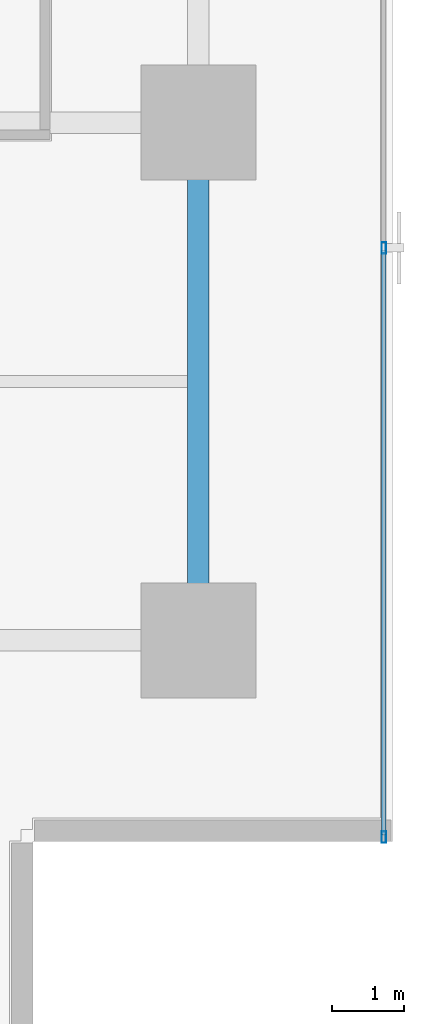
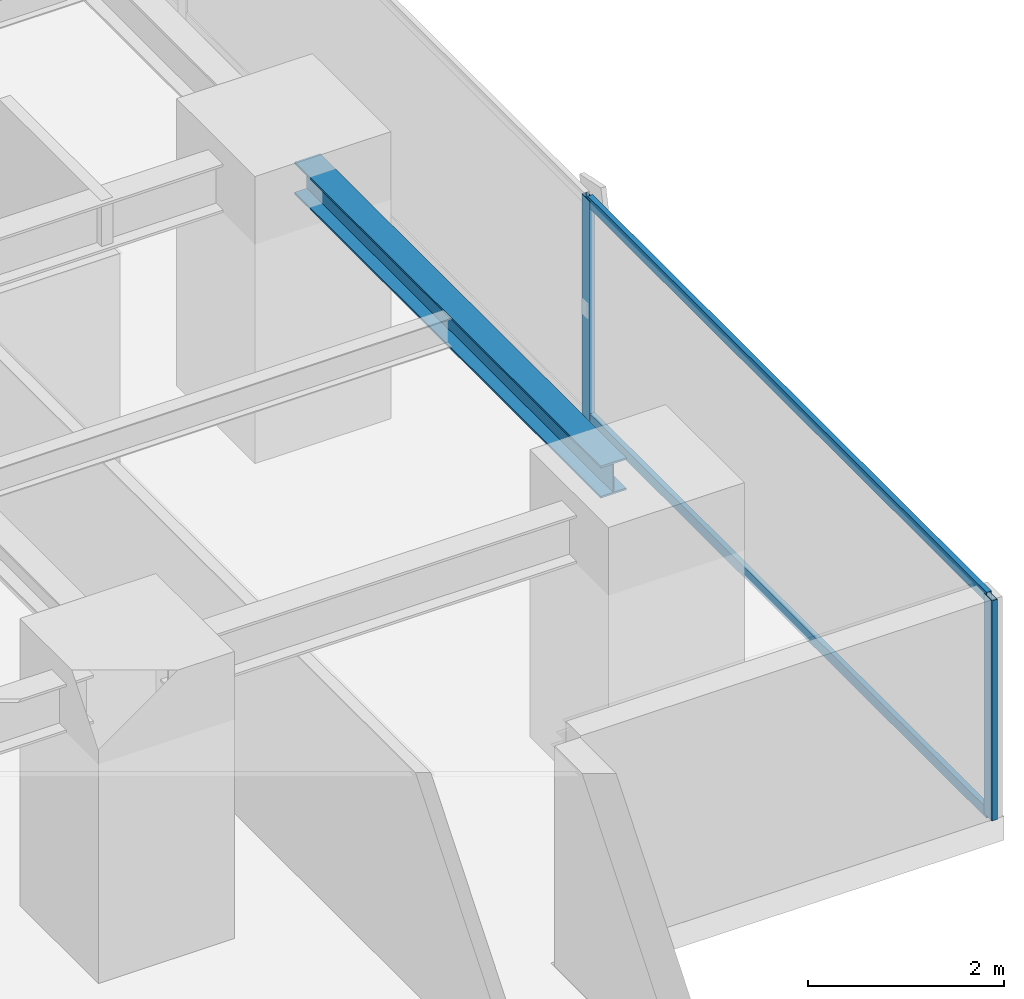
# One storey, part 14 of 36: 4 members, 1 beam, 1 element without a shape of its own.
"""IFC4 building model written with IfcOpenShell, lengths in metres."""

from ifc_helpers import new_model, si_unit, direction, frame, origin, origin_2d, place, context, subcontext, project, spatial, hollow_rectangle, i_section, extrude, source, transform, mapped, material, layer, layer_set, material_profile, profile_set, type_object, element, aggregate, save


model = new_model("IFC4")

# Units and contexts
model_context = context("Model", 3, precision=1e-05, world=origin(), true_north=direction((0.0, 1.0)))
body_context = subcontext(model_context, "Body", "Model", "MODEL_VIEW")
ifc_project = project(units=[si_unit("LENGTHUNIT", "METRE"), si_unit("AREAUNIT", "SQUARE_METRE"), si_unit("VOLUMEUNIT", "CUBIC_METRE"), si_unit("PLANEANGLEUNIT", "RADIAN"), si_unit("MASSUNIT", "GRAM", prefix="KILO")], contexts=[model_context])

# Site, building, storey
site_placement = place(None, origin())
site = spatial("IfcSite", under=ifc_project, at=site_placement, CompositionType="ELEMENT")
building_placement = place(site_placement, origin())
building = spatial("IfcBuilding", under=site, at=building_placement, Name="Sumidabori Civic Tower", CompositionType="ELEMENT")
storey_placement = place(building_placement, frame((0.0, 0.0, 77.60009765625)))
storey = spatial("IfcBuildingStorey", under=building, at=storey_placement, Name="L19", CompositionType="ELEMENT", Elevation=77.60009765625)

# Beam
ifc_material_1 = material(Name="Steel SN490", Category="steel")
ifc_material_profile_1 = material_profile(ifc_material_1, i_section(OverallWidth=0.300048828125, OverallDepth=0.39990234375, WebThickness=0.013427734375, FlangeThickness=0.02392578125, at=origin_2d()), Name="HE 400 B")
ifc_profile_set_1 = profile_set([ifc_material_profile_1], Name="Steel SN490")
beam_type = type_object("IfcBeamType", Name="BM-GIRD-400", PredefinedType="BEAM", material=ifc_profile_set_1)
shared_shape_1 = source(origin(), body_context, "Body", "SweptSolid", [
    extrude(i_section(OverallWidth=0.300048828125, OverallDepth=0.39990234375, WebThickness=0.013427734375, FlangeThickness=0.02392578125, at=origin_2d()), origin(), (0.0, 0.0, 1.0), 6.239990234375),
])
beam_placement = place(storey_placement, frame((22.800048828125, -17.52001953125, 3.159912109375), z_axis=(0.0, 1.0, 0.0), x_axis=(-1.0, 0.0, 0.0)))
element("IfcBeam", 1, at=beam_placement, inside=storey, type_object=beam_type, Name="Primary Girder L19 GY-39", PredefinedType="BEAM", context=body_context, shape_type="MappedRepresentation", body=[
    mapped(shared_shape_1, transform((0.0, 0.0, 0.0), x_axis=(1.0, 0.0, 0.0), y_axis=(0.0, 1.0, 0.0), z_axis=(0.0, 0.0, 1.0), scale=1.0)),
])

# Curtain wall, members
ifc_material_2 = material(Name="Anodised Bronze Aluminium AW-6063-T6", Category="aluminium")
ifc_layer = layer(ifc_material_2, 0.179931640625, Name="Anodised Bronze Aluminium AW-6063-T6")
ifc_layer_set = layer_set([ifc_layer], Name="Anodised Bronze Aluminium AW-6063-T6")
curtain_wall_type = type_object("IfcCurtainWallType", Name="CW-SYS-3", PredefinedType="NOTDEFINED", material=ifc_layer_set)
curtain_wall_placement = place(storey_placement, origin())
curtain_wall = element("IfcCurtainWall", 2, at=curtain_wall_placement, inside=storey, type_object=curtain_wall_type, Name="Curtain Wall CW:L19:R04", PredefinedType="NOTDEFINED")
ifc_material_profile_2 = material_profile(ifc_material_2, hollow_rectangle(XDim=0.06494140625, YDim=0.159912109375, WallThickness=0.0048828125, at=origin_2d()), Name="ALU MULLION 160x65")
ifc_profile_set_2 = profile_set([ifc_material_profile_2], Name="Anodised Bronze Aluminium AW-6063-T6")
member_type_1 = type_object("IfcMemberType", Name="CW-MUL-160", PredefinedType="MULLION", material=ifc_profile_set_2)
shared_shape_2 = source(origin(), body_context, "Body", "SweptSolid", [
    extrude(hollow_rectangle(XDim=0.06494140625, YDim=0.159912109375, WallThickness=0.0048828125, at=origin_2d()), origin(), (0.0, 0.0, 1.0), 2.739990234375),
])
member_1_placement = place(storey_placement, frame((25.3798828125, -20.737548828125, 0.0), z_axis=(0.0, 0.0, 1.0), x_axis=(-1.0, 0.0, 0.0)))
member_1 = element("IfcMember", 3, at=member_1_placement, type_object=member_type_1, Name="CW-3 mullion 1", PredefinedType="MULLION", context=body_context, shape_type="MappedRepresentation", body=[
    mapped(shared_shape_2, transform((0.0, 0.0, 0.0), x_axis=(1.0, 0.0, 0.0), y_axis=(0.0, 1.0, 0.0), z_axis=(0.0, 0.0, 1.0), scale=1.0)),
])
member_2_placement = place(storey_placement, frame((25.3798828125, -12.5419921875, 0.0), z_axis=(0.0, 0.0, 1.0), x_axis=(-1.0, 0.0, 0.0)))
member_2 = element("IfcMember", 4, at=member_2_placement, type_object=member_type_1, Name="CW-3 mullion 2", PredefinedType="MULLION", context=body_context, shape_type="MappedRepresentation", body=[
    mapped(shared_shape_2, transform((0.0, 0.0, 0.0), x_axis=(1.0, 0.0, 0.0), y_axis=(0.0, 1.0, 0.0), z_axis=(0.0, 0.0, 1.0), scale=1.0)),
])
ifc_material_profile_3 = material_profile(ifc_material_2, hollow_rectangle(XDim=0.06005859375, YDim=0.1298828125, WallThickness=0.0048828125, at=origin_2d()), Name="ALU TRANSOM 130x60")
ifc_profile_set_3 = profile_set([ifc_material_profile_3], Name="Anodised Bronze Aluminium AW-6063-T6")
member_type_2 = type_object("IfcMemberType", Name="CW-TRN-130", PredefinedType="USERDEFINED", material=ifc_profile_set_3)
shared_shape_3 = source(origin(), body_context, "Body", "SweptSolid", [
    extrude(hollow_rectangle(XDim=0.06005859375, YDim=0.1298828125, WallThickness=0.0048828125, at=origin_2d()), origin(), (0.0, 0.0, 1.0), 8.130615234375),
])
member_3_placement = place(storey_placement, frame((25.3798828125, -20.705078125, 0.02978515625), z_axis=(0.0, 1.0, 0.0), x_axis=(-1.0, 0.0, 0.0)))
member_3 = element("IfcMember", 5, at=member_3_placement, type_object=member_type_2, Name="CW-3 transom 1.1", ObjectType="TRANSOM", PredefinedType="USERDEFINED", context=body_context, shape_type="MappedRepresentation", body=[
    mapped(shared_shape_3, transform((0.0, 0.0, 0.0), x_axis=(1.0, 0.0, 0.0), y_axis=(0.0, 1.0, 0.0), z_axis=(0.0, 0.0, 1.0), scale=1.0)),
])
member_4_placement = place(storey_placement, frame((25.3798828125, -20.705078125, 2.7099609375), z_axis=(0.0, 1.0, 0.0), x_axis=(-1.0, 0.0, 0.0)))
member_4 = element("IfcMember", 6, at=member_4_placement, type_object=member_type_2, Name="CW-3 transom 1.2", ObjectType="TRANSOM", PredefinedType="USERDEFINED", context=body_context, shape_type="MappedRepresentation", body=[
    mapped(shared_shape_3, transform((0.0, 0.0, 0.0), x_axis=(1.0, 0.0, 0.0), y_axis=(0.0, 1.0, 0.0), z_axis=(0.0, 0.0, 1.0), scale=1.0)),
])
aggregate(curtain_wall, [member_1, member_2, member_3, member_4])

save(model, "model.ifc")
